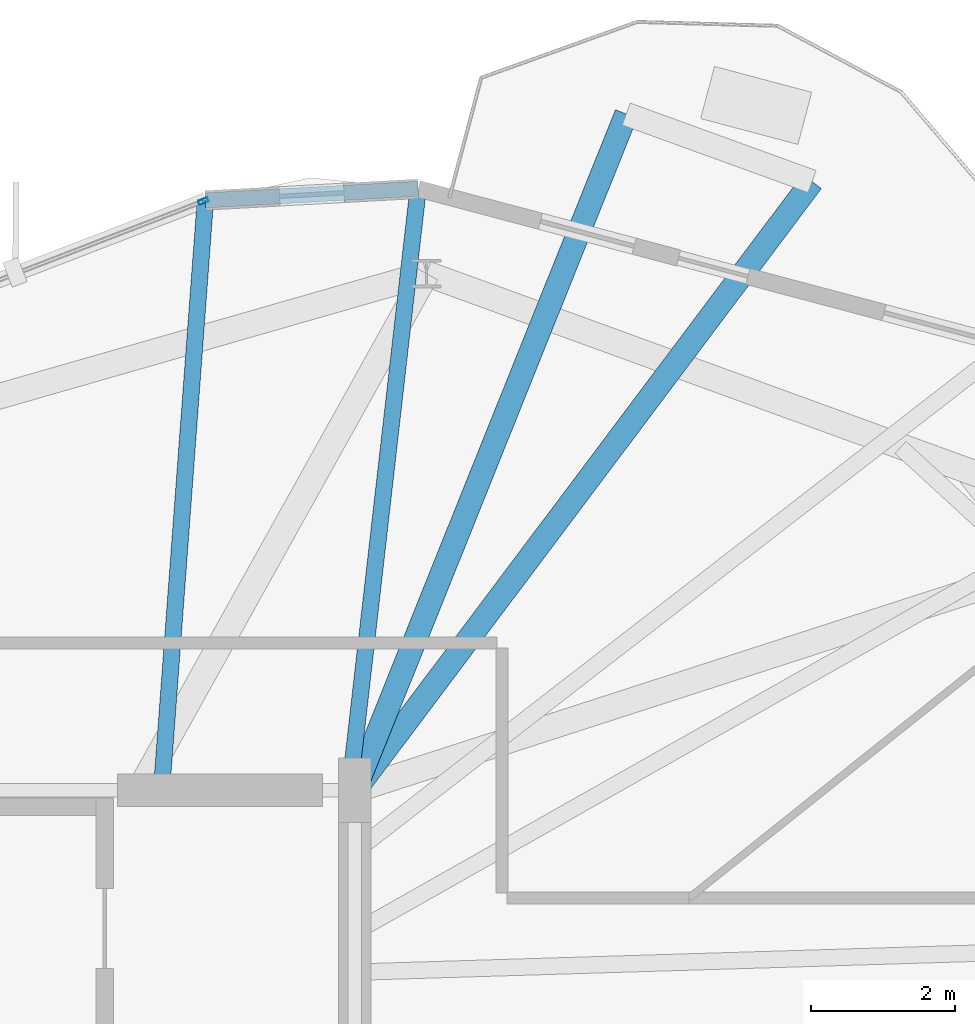
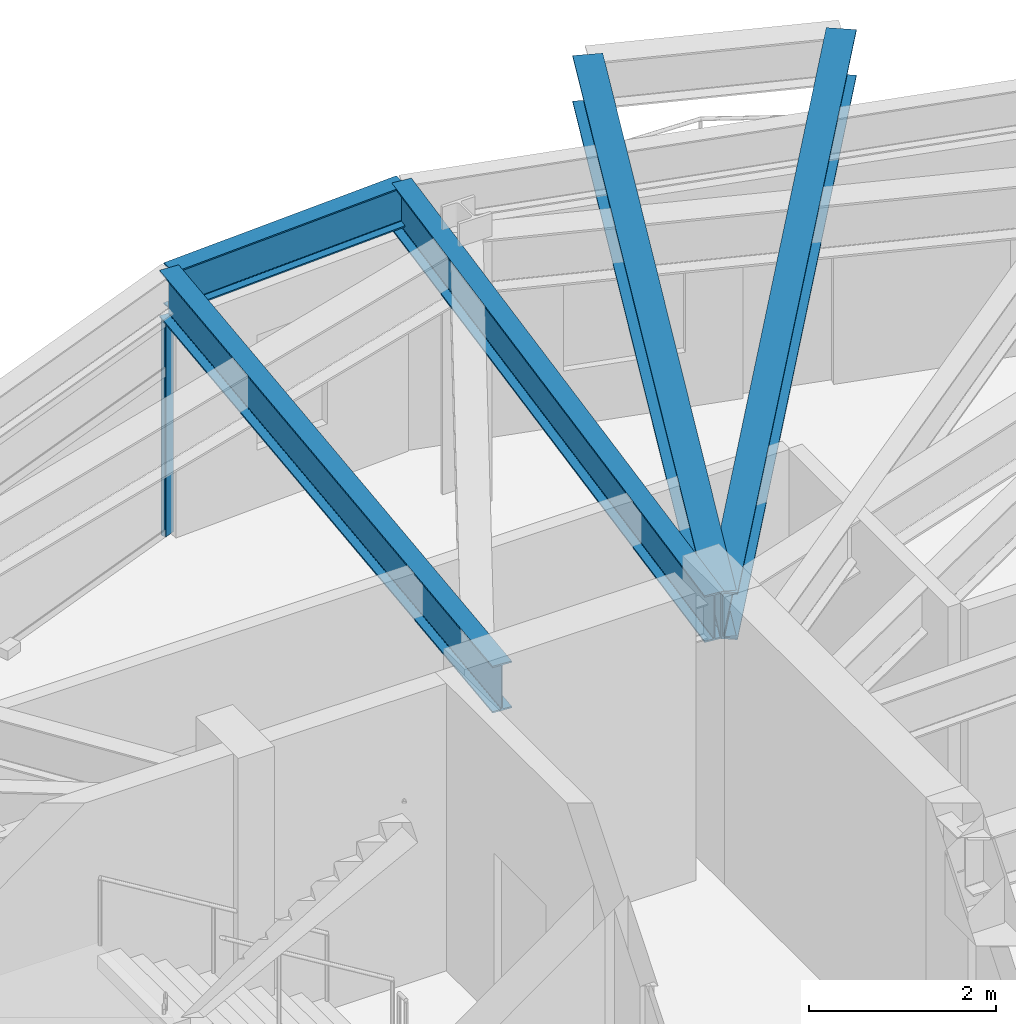
# One storey, part 18 of 26: 5 beams, 1 member, 1 element without a shape of its own.
"""IFC4 building model written with IfcOpenShell, lengths in metres."""

from ifc_helpers import new_model, si_unit, direction, frame, origin, origin_2d, place, context, subcontext, project, spatial, hollow_rectangle, i_section, extrude, material, layer, layer_set, material_profile, profile_set, type_object, element, aggregate, save


model = new_model("IFC4")

# Units and contexts
model_context = context("Model", 3, precision=1e-05, world=origin(), true_north=direction((0.0, 1.0)))
body_context = subcontext(model_context, "Body", "Model", "MODEL_VIEW")
ifc_project = project(units=[si_unit("LENGTHUNIT", "METRE"), si_unit("AREAUNIT", "SQUARE_METRE"), si_unit("VOLUMEUNIT", "CUBIC_METRE"), si_unit("PLANEANGLEUNIT", "RADIAN"), si_unit("MASSUNIT", "GRAM", prefix="KILO")], contexts=[model_context])

# Site, building, storey
site_placement = place(None, origin())
site = spatial("IfcSite", under=ifc_project, at=site_placement, CompositionType="ELEMENT")
building_placement = place(site_placement, origin())
building = spatial("IfcBuilding", under=site, at=building_placement, Name="Soratama Intermodal Tower", CompositionType="ELEMENT")
storey_placement = place(building_placement, frame((0.0, 0.0, 242.5)))
storey = spatial("IfcBuildingStorey", under=building, at=storey_placement, Name="L61", CompositionType="ELEMENT", Elevation=242.5)

# Beams
ifc_material_1 = material(Name="Structural steel ASTM A992 Grade 50", Category="steel")
ifc_material_profile_1 = material_profile(ifc_material_1, i_section(OverallWidth=0.324951171875, OverallDepth=0.615966796875, WebThickness=0.013916015625, FlangeThickness=0.021484375, FilletRadius=0.013916015625, at=origin_2d()), Name="W24X117")
ifc_profile_set_1 = profile_set([ifc_material_profile_1], Name="Structural steel ASTM A992 Grade 50")
beam_type_1 = type_object("IfcBeamType", Name="BM-CANT-W24X117", PredefinedType="BEAM", material=ifc_profile_set_1)
beam_1_placement = place(storey_placement, frame((44.6240234375, 35.02490234375, 3.14208984375), z_axis=(0.600425142239, 0.799680966741, 0.0), x_axis=(-0.799680966741, 0.600425142239, 0.0)))
element("IfcBeam", 1, at=beam_1_placement, inside=storey, type_object=beam_type_1, Name="BM-L61-CANT-2-1", PredefinedType="BEAM", context=body_context, shape_type="SweptSolid", body=[
    extrude(i_section(OverallWidth=0.324951171875, OverallDepth=0.615966796875, WebThickness=0.013916015625, FlangeThickness=0.021484375, FilletRadius=0.013916015625, at=origin_2d()), origin(), (0.0, 0.0, 1.0), 10.564208984375),
])
beam_2_placement = place(storey_placement, frame((44.614990234375, 35.034912109375, 3.14208984375), z_axis=(0.372689946181, 0.927955927841, 0.0), x_axis=(-0.927955927841, 0.372689946181, 0.0)))
element("IfcBeam", 2, at=beam_2_placement, inside=storey, type_object=beam_type_1, Name="BM-L61-CANT-2-2", PredefinedType="BEAM", context=body_context, shape_type="SweptSolid", body=[
    extrude(i_section(OverallWidth=0.324951171875, OverallDepth=0.615966796875, WebThickness=0.013916015625, FlangeThickness=0.021484375, FilletRadius=0.013916015625, at=origin_2d()), origin(), (0.0, 0.0, 1.0), 10.105224609375),
])
ifc_material_2 = material(Name="Structural steel ASTM A992 Grade 50", Category="steel")
ifc_material_profile_2 = material_profile(ifc_material_2, i_section(OverallWidth=0.2099609375, OverallDepth=0.537109375, WebThickness=0.010986328125, FlangeThickness=0.017333984375, FilletRadius=0.012939453125, at=origin_2d()), Name="W21X68")
ifc_profile_set_2 = profile_set([ifc_material_profile_2], Name="Structural steel ASTM A992 Grade 50")
beam_type_2 = type_object("IfcBeamType", Name="BM-SPN-W21X68", PredefinedType="SPANDREL", material=ifc_profile_set_2)
beam_3_placement = place(storey_placement, frame((45.48388671875, 43.3720703125, 3.181396484375), z_axis=(-0.99850559953, -0.054649498688, 0.0), x_axis=(0.054649498688, -0.99850559953, 0.0)))
element("IfcBeam", 3, at=beam_3_placement, inside=storey, type_object=beam_type_2, Name="BS-L61-CRN01", PredefinedType="SPANDREL", context=body_context, shape_type="SweptSolid", body=[
    extrude(i_section(OverallWidth=0.2099609375, OverallDepth=0.537109375, WebThickness=0.010986328125, FlangeThickness=0.017333984375, FilletRadius=0.012939453125, at=origin_2d()), origin(), (0.0, 0.0, 1.0), 2.96630859375),
])
ifc_material_3 = material(Name="Structural steel ASTM A992 Grade 50", Category="steel")
ifc_material_profile_3 = material_profile(ifc_material_3, i_section(OverallWidth=0.22900390625, OverallDepth=0.612060546875, WebThickness=0.011962890625, FlangeThickness=0.01953125, FilletRadius=0.012939453125, at=origin_2d()), Name="W24X84")
ifc_profile_set_3 = profile_set([ifc_material_profile_3], Name="Structural steel ASTM A992 Grade 50")
beam_type_3 = type_object("IfcBeamType", Name="BM-TIE-W24X84", PredefinedType="BEAM", material=ifc_profile_set_3)
beam_4_placement = place(storey_placement, frame((44.532958984375, 35.0400390625, 3.14404296875), z_axis=(0.113393051462, 0.993550208032, 0.0), x_axis=(-0.993550208032, 0.113393051462, 0.0)))
element("IfcBeam", 4, at=beam_4_placement, inside=storey, type_object=beam_type_3, Name="BM-L61-TIE1-01", PredefinedType="BEAM", context=body_context, shape_type="SweptSolid", body=[
    extrude(i_section(OverallWidth=0.22900390625, OverallDepth=0.612060546875, WebThickness=0.011962890625, FlangeThickness=0.01953125, FilletRadius=0.012939453125, at=origin_2d()), origin(), (0.0, 0.0, 1.0), 8.38623046875),
])
beam_5_placement = place(storey_placement, frame((41.9150390625, 35.0400390625, 3.14404296875), z_axis=(0.074084639186, 0.997251957249, 0.0), x_axis=(-0.997251957249, 0.074084639186, 0.0)))
element("IfcBeam", 5, at=beam_5_placement, inside=storey, type_object=beam_type_3, Name="BM-L61-TIE0-02", PredefinedType="BEAM", context=body_context, shape_type="SweptSolid", body=[
    extrude(i_section(OverallWidth=0.22900390625, OverallDepth=0.612060546875, WebThickness=0.011962890625, FlangeThickness=0.01953125, FilletRadius=0.012939453125, at=origin_2d()), origin(), (0.0, 0.0, 1.0), 8.1923828125),
])

# Curtain wall, member
ifc_material_4 = material(Name="Double-glazed aluminium curtain wall", Category="aluminium")
ifc_layer = layer(ifc_material_4, 0.159912109375)
ifc_layer_set = layer_set([ifc_layer], Name="Double-glazed aluminium curtain wall")
curtain_wall_type = type_object("IfcCurtainWallType", Name="CW-SYS-5", PredefinedType="NOTDEFINED", material=ifc_layer_set)
curtain_wall_placement = place(storey_placement, origin())
curtain_wall = element("IfcCurtainWall", 6, at=curtain_wall_placement, inside=storey, type_object=curtain_wall_type, Name="L61 Faceted Curtain Wall F02", PredefinedType="NOTDEFINED")
ifc_material_5 = material(Name="Anodised aluminium AA 6063-T6", Category="aluminium")
ifc_material_profile_4 = material_profile(ifc_material_5, hollow_rectangle(XDim=0.06494140625, YDim=0.139892578125, WallThickness=0.0048828125, InnerFilletRadius=0.0048828125, OuterFilletRadius=0.010009765625, at=origin_2d()), Name="CWM140X65X5")
ifc_profile_set_4 = profile_set([ifc_material_profile_4], Name="Anodised aluminium AA 6063-T6")
member_type = type_object("IfcMemberType", Name="MT-CWM-5", PredefinedType="MULLION", material=ifc_profile_set_4)
member_placement = place(storey_placement, frame((42.493896484375, 43.199462890625, 0.0), z_axis=(0.0, 0.0, 1.0), x_axis=(0.360327619849, -0.932825817811, 0.0)))
member = element("IfcMember", 7, at=member_placement, type_object=member_type, Name="CW-5 mullion 1", PredefinedType="MULLION", context=body_context, shape_type="SweptSolid", body=[
    extrude(hollow_rectangle(XDim=0.06494140625, YDim=0.139892578125, WallThickness=0.0048828125, InnerFilletRadius=0.0048828125, OuterFilletRadius=0.010009765625, at=origin_2d()), origin(), (0.0, 0.0, 1.0), 2.8291015625),
])
aggregate(curtain_wall, [member])

save(model, "model.ifc")
